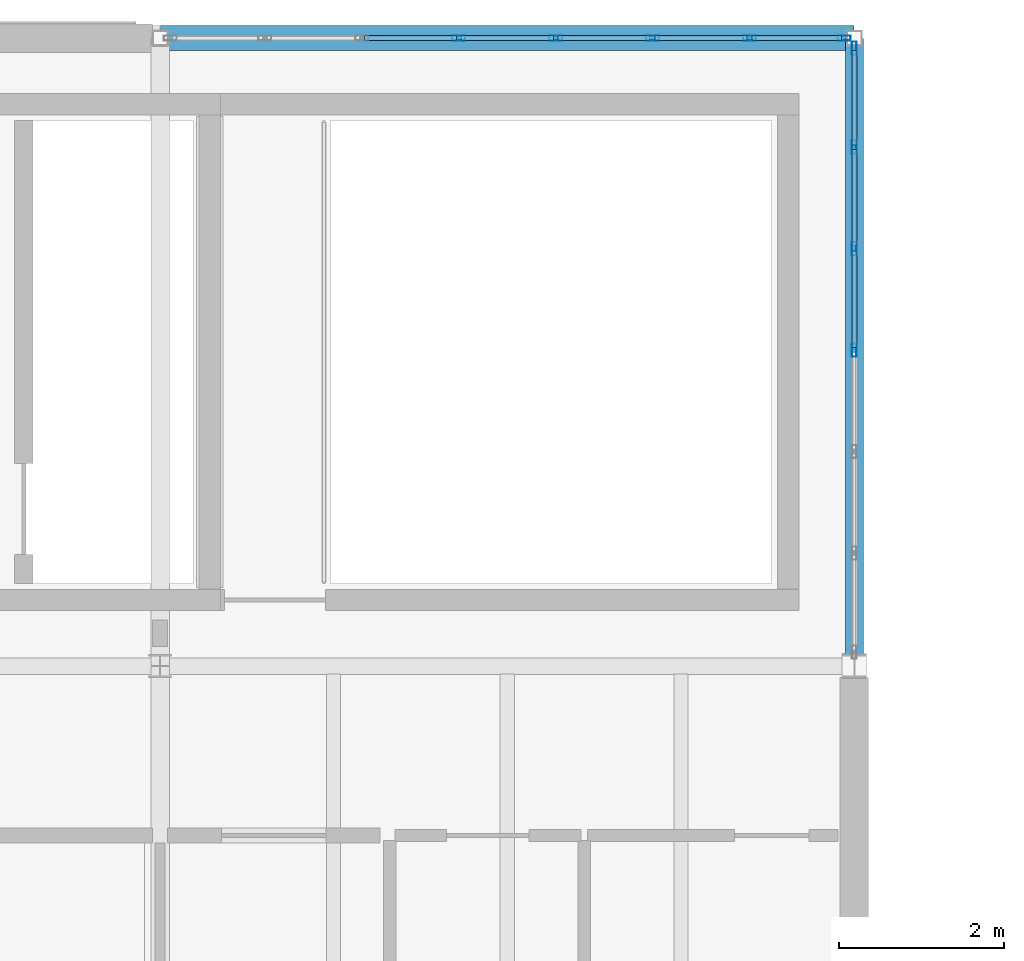
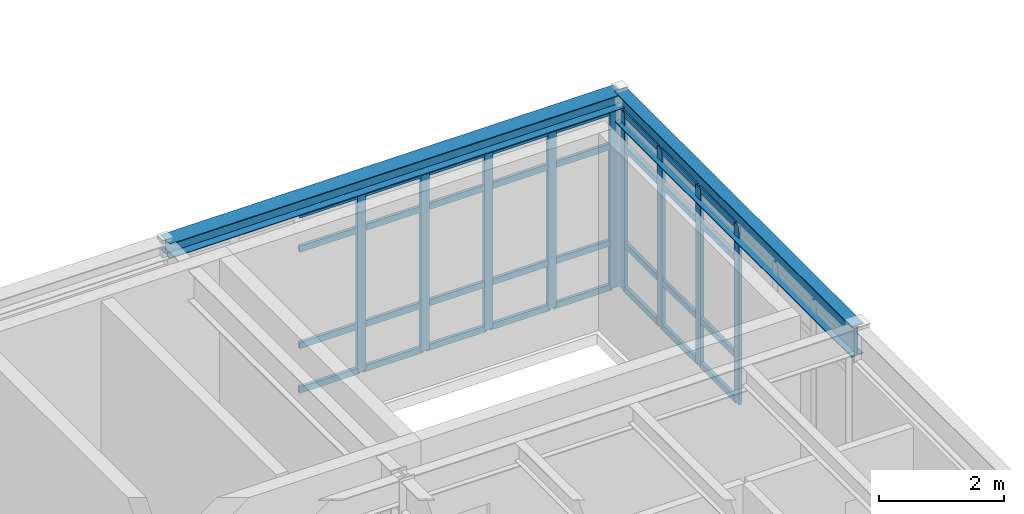
# One storey, part 12 of 26: 41 members, 2 beams, 2 elements without a shape of their own.
"""IFC4 building model written with IfcOpenShell, lengths in metres."""

from ifc_helpers import new_model, si_unit, direction, frame, origin, origin_2d, place, context, subcontext, project, spatial, hollow_rectangle, i_section, extrude, material, layer, layer_set, material_profile, profile_set, type_object, element, aggregate, save


model = new_model("IFC4")

# Units and contexts
model_context = context("Model", 3, precision=1e-05, world=origin(), true_north=direction((0.0, 1.0)))
body_context = subcontext(model_context, "Body", "Model", "MODEL_VIEW")
ifc_project = project(units=[si_unit("LENGTHUNIT", "METRE"), si_unit("AREAUNIT", "SQUARE_METRE"), si_unit("VOLUMEUNIT", "CUBIC_METRE"), si_unit("PLANEANGLEUNIT", "RADIAN"), si_unit("MASSUNIT", "GRAM", prefix="KILO")], contexts=[model_context])

# Site, building, storey
site_placement = place(None, origin())
site = spatial("IfcSite", under=ifc_project, at=site_placement, CompositionType="ELEMENT")
building_placement = place(site_placement, origin())
building = spatial("IfcBuilding", under=site, at=building_placement, Name="Montecoro Central Library", CompositionType="ELEMENT")
storey_placement = place(building_placement, frame((0.0, 0.0, 21.419921875)))
storey = spatial("IfcBuildingStorey", under=building, at=storey_placement, Name="L05", CompositionType="ELEMENT", Elevation=21.419921875)

# Beams
ifc_material_1 = material(Name="Steel S355J2", Category="steel")
ifc_material_profile_1 = material_profile(ifc_material_1, i_section(OverallWidth=0.219970703125, OverallDepth=0.60009765625, WebThickness=0.011962890625, FlangeThickness=0.01904296875, at=origin_2d()), Name="IPE 600")
ifc_profile_set_1 = profile_set([ifc_material_profile_1], Name="Steel S355J2")
beam_type_1 = type_object("IfcBeamType", Name="BM-G-IPE600", PredefinedType="USERDEFINED", material=ifc_profile_set_1)
beam_1_placement = place(storey_placement, frame((108.39990234375, 111.405029296875, 3.525146484375), z_axis=(0.0, 1.0, 0.0), x_axis=(-1.0, 0.0, 0.0)))
element("IfcBeam", 1, at=beam_1_placement, inside=storey, type_object=beam_type_1, Name="V2-L05-BY-14-QR", ObjectType="GIRDER", PredefinedType="USERDEFINED", context=body_context, shape_type="SweptSolid", body=[
    extrude(i_section(OverallWidth=0.219970703125, OverallDepth=0.60009765625, WebThickness=0.011962890625, FlangeThickness=0.01904296875, at=origin_2d()), origin(), (0.0, 0.0, 1.0), 7.590087890625),
])
ifc_material_2 = material(Name="Steel S355", Category="steel")
ifc_material_profile_2 = material_profile(ifc_material_2, i_section(OverallWidth=0.300048828125, OverallDepth=0.2900390625, WebThickness=0.008544921875, FlangeThickness=0.013916015625, at=origin_2d()), Name="HEA 300")
ifc_profile_set_2 = profile_set([ifc_material_profile_2], Name="Steel S355")
beam_type_2 = type_object("IfcBeamType", Name="BM-SP-HEA300", PredefinedType="SPANDREL", material=ifc_profile_set_2)
beam_2_placement = place(storey_placement, frame((100.0048828125, 119.0, 3.68017578125), z_axis=(1.0, 0.0, 0.0), x_axis=(0.0, 1.0, 0.0)))
element("IfcBeam", 2, at=beam_2_placement, inside=storey, type_object=beam_type_2, Name="V2-L05-BX-1314-R", PredefinedType="SPANDREL", context=body_context, shape_type="SweptSolid", body=[
    extrude(i_section(OverallWidth=0.300048828125, OverallDepth=0.2900390625, WebThickness=0.008544921875, FlangeThickness=0.013916015625, at=origin_2d()), origin(), (0.0, 0.0, 1.0), 8.39013671875),
])

# Curtain wall, members
ifc_material_3 = material(Name="Bronze-anodised aluminium and low-E glazing", Category="aluminium")
ifc_layer_1 = layer(ifc_material_3, 0.159912109375)
ifc_layer_set_1 = layer_set([ifc_layer_1], Name="Bronze-anodised aluminium and low-E glazing")
curtain_wall_type_1 = type_object("IfcCurtainWallType", Name="CWT-024", PredefinedType="NOTDEFINED", material=ifc_layer_set_1)
curtain_wall_1_placement = place(storey_placement, origin())
curtain_wall_1 = element("IfcCurtainWall", 3, at=curtain_wall_1_placement, inside=storey, type_object=curtain_wall_type_1, Name="V2-L05-CW-E1", PredefinedType="NOTDEFINED")
ifc_material_4 = material(Name="Bronze-anodised aluminium", Category="aluminium")
ifc_material_profile_3 = material_profile(ifc_material_4, hollow_rectangle(XDim=0.06005859375, YDim=0.159912109375, WallThickness=0.00390625, at=origin_2d()), Name="CWM 160x60x4.0")
ifc_profile_set_3 = profile_set([ifc_material_profile_3], Name="Bronze-anodised aluminium")
member_type_1 = type_object("IfcMemberType", Name="CWM-BRZ-60", PredefinedType="MULLION", material=ifc_profile_set_3)
member_1_placement = place(storey_placement, frame((108.39990234375, 115.222412109375, 0.0), z_axis=(0.0, 0.0, 1.0), x_axis=(-1.0, 0.0, 0.0)))
member_1 = element("IfcMember", 4, at=member_1_placement, type_object=member_type_1, Name="CW-024 mullion 4", PredefinedType="MULLION", context=body_context, shape_type="SweptSolid", body=[
    extrude(hollow_rectangle(XDim=0.06005859375, YDim=0.159912109375, WallThickness=0.00390625, at=origin_2d()), origin(), (0.0, 0.0, 1.0), 3.47998046875),
])
member_2_placement = place(storey_placement, frame((108.39990234375, 116.45068359375, 0.0), z_axis=(0.0, 0.0, 1.0), x_axis=(-1.0, 0.0, 0.0)))
member_2 = element("IfcMember", 5, at=member_2_placement, type_object=member_type_1, Name="CW-024 mullion 5", PredefinedType="MULLION", context=body_context, shape_type="SweptSolid", body=[
    extrude(hollow_rectangle(XDim=0.06005859375, YDim=0.159912109375, WallThickness=0.00390625, at=origin_2d()), origin(), (0.0, 0.0, 1.0), 3.47998046875),
])
member_3_placement = place(storey_placement, frame((108.39990234375, 117.678955078125, 0.0), z_axis=(0.0, 0.0, 1.0), x_axis=(-1.0, 0.0, 0.0)))
member_3 = element("IfcMember", 6, at=member_3_placement, type_object=member_type_1, Name="CW-024 mullion 6", PredefinedType="MULLION", context=body_context, shape_type="SweptSolid", body=[
    extrude(hollow_rectangle(XDim=0.06005859375, YDim=0.159912109375, WallThickness=0.00390625, at=origin_2d()), origin(), (0.0, 0.0, 1.0), 3.47998046875),
])
member_4_placement = place(storey_placement, frame((108.39990234375, 118.876953125, 0.0), z_axis=(0.0, 0.0, 1.0), x_axis=(-1.0, 0.0, 0.0)))
member_4 = element("IfcMember", 7, at=member_4_placement, type_object=member_type_1, Name="CW-024 mullion 7", PredefinedType="MULLION", context=body_context, shape_type="SweptSolid", body=[
    extrude(hollow_rectangle(XDim=0.06005859375, YDim=0.159912109375, WallThickness=0.00390625, at=origin_2d()), origin(), (0.0, 0.0, 1.0), 3.47998046875),
])

ifc_layer_2 = layer(ifc_material_3, 0.159912109375)
ifc_layer_set_2 = layer_set([ifc_layer_2], Name="Bronze-anodised aluminium and low-E glazing")
curtain_wall_type_2 = type_object("IfcCurtainWallType", Name="CWT-025", PredefinedType="NOTDEFINED", material=ifc_layer_set_2)
curtain_wall_2_placement = place(storey_placement, origin())
curtain_wall_2 = element("IfcCurtainWall", 8, at=curtain_wall_2_placement, inside=storey, type_object=curtain_wall_type_2, Name="V2-L05-CW-N3", PredefinedType="NOTDEFINED")
member_5_placement = place(storey_placement, frame((108.277099609375, 119.0, 0.0), z_axis=(0.0, 0.0, 1.0), x_axis=(0.0, -1.0, 0.0)))
member_5 = element("IfcMember", 9, at=member_5_placement, type_object=member_type_1, Name="CW-025 mullion 1", PredefinedType="MULLION", context=body_context, shape_type="SweptSolid", body=[
    extrude(hollow_rectangle(XDim=0.06005859375, YDim=0.159912109375, WallThickness=0.00390625, at=origin_2d()), origin(), (0.0, 0.0, 1.0), 3.47998046875),
])
member_6_placement = place(storey_placement, frame((107.133544921875, 119.0, 0.0), z_axis=(0.0, 0.0, 1.0), x_axis=(0.0, -1.0, 0.0)))
member_6 = element("IfcMember", 10, at=member_6_placement, type_object=member_type_1, Name="CW-025 mullion 2", PredefinedType="MULLION", context=body_context, shape_type="SweptSolid", body=[
    extrude(hollow_rectangle(XDim=0.06005859375, YDim=0.159912109375, WallThickness=0.00390625, at=origin_2d()), origin(), (0.0, 0.0, 1.0), 3.47998046875),
])
member_7_placement = place(storey_placement, frame((105.960205078125, 119.0, 0.0), z_axis=(0.0, 0.0, 1.0), x_axis=(0.0, -1.0, 0.0)))
member_7 = element("IfcMember", 11, at=member_7_placement, type_object=member_type_1, Name="CW-025 mullion 3", PredefinedType="MULLION", context=body_context, shape_type="SweptSolid", body=[
    extrude(hollow_rectangle(XDim=0.06005859375, YDim=0.159912109375, WallThickness=0.00390625, at=origin_2d()), origin(), (0.0, 0.0, 1.0), 3.47998046875),
])
member_8_placement = place(storey_placement, frame((104.78662109375, 119.0, 0.0), z_axis=(0.0, 0.0, 1.0), x_axis=(0.0, -1.0, 0.0)))
member_8 = element("IfcMember", 12, at=member_8_placement, type_object=member_type_1, Name="CW-025 mullion 4", PredefinedType="MULLION", context=body_context, shape_type="SweptSolid", body=[
    extrude(hollow_rectangle(XDim=0.06005859375, YDim=0.159912109375, WallThickness=0.00390625, at=origin_2d()), origin(), (0.0, 0.0, 1.0), 3.47998046875),
])
member_9_placement = place(storey_placement, frame((103.61328125, 119.0, 0.0), z_axis=(0.0, 0.0, 1.0), x_axis=(0.0, -1.0, 0.0)))
member_9 = element("IfcMember", 13, at=member_9_placement, type_object=member_type_1, Name="CW-025 mullion 5", PredefinedType="MULLION", context=body_context, shape_type="SweptSolid", body=[
    extrude(hollow_rectangle(XDim=0.06005859375, YDim=0.159912109375, WallThickness=0.00390625, at=origin_2d()), origin(), (0.0, 0.0, 1.0), 3.47998046875),
])

# Member
ifc_material_profile_4 = material_profile(ifc_material_4, hollow_rectangle(XDim=0.06005859375, YDim=0.1201171875, WallThickness=0.00390625, at=origin_2d()), Name="CWT 120x60x4.0")
ifc_profile_set_4 = profile_set([ifc_material_profile_4], Name="Bronze-anodised aluminium")
member_type_2 = type_object("IfcMemberType", Name="CWT-BRZ-60", PredefinedType="USERDEFINED", material=ifc_profile_set_4)
member_10_placement = place(storey_placement, frame((108.39990234375, 115.25244140625, 0.030029296875), z_axis=(0.0, 1.0, 0.0), x_axis=(-1.0, 0.0, 0.0)))
member_10 = element("IfcMember", 14, at=member_10_placement, type_object=member_type_2, Name="CW-024 transom 4.1", ObjectType="TRANSOM", PredefinedType="USERDEFINED", context=body_context, shape_type="SweptSolid", body=[
    extrude(hollow_rectangle(XDim=0.06005859375, YDim=0.1201171875, WallThickness=0.00390625, at=origin_2d()), origin(), (0.0, 0.0, 1.0), 1.168212890625),
])

member_11_placement = place(storey_placement, frame((108.39990234375, 115.25244140625, 0.900146484375), z_axis=(0.0, 1.0, 0.0), x_axis=(-1.0, 0.0, 0.0)))
member_11 = element("IfcMember", 15, at=member_11_placement, type_object=member_type_2, Name="CW-024 transom 4.2", ObjectType="TRANSOM", PredefinedType="USERDEFINED", context=body_context, shape_type="SweptSolid", body=[
    extrude(hollow_rectangle(XDim=0.06005859375, YDim=0.1201171875, WallThickness=0.00390625, at=origin_2d()), origin(), (0.0, 0.0, 1.0), 1.168212890625),
])

member_12_placement = place(storey_placement, frame((108.39990234375, 115.25244140625, 2.780029296875), z_axis=(0.0, 1.0, 0.0), x_axis=(-1.0, 0.0, 0.0)))
member_12 = element("IfcMember", 16, at=member_12_placement, type_object=member_type_2, Name="CW-024 transom 4.3", ObjectType="TRANSOM", PredefinedType="USERDEFINED", context=body_context, shape_type="SweptSolid", body=[
    extrude(hollow_rectangle(XDim=0.06005859375, YDim=0.1201171875, WallThickness=0.00390625, at=origin_2d()), origin(), (0.0, 0.0, 1.0), 1.168212890625),
])

member_13_placement = place(storey_placement, frame((108.39990234375, 115.25244140625, 3.4501953125), z_axis=(0.0, 1.0, 0.0), x_axis=(-1.0, 0.0, 0.0)))
member_13 = element("IfcMember", 17, at=member_13_placement, type_object=member_type_2, Name="CW-024 transom 4.4", ObjectType="TRANSOM", PredefinedType="USERDEFINED", context=body_context, shape_type="SweptSolid", body=[
    extrude(hollow_rectangle(XDim=0.06005859375, YDim=0.1201171875, WallThickness=0.00390625, at=origin_2d()), origin(), (0.0, 0.0, 1.0), 1.168212890625),
])

member_14_placement = place(storey_placement, frame((108.39990234375, 116.480712890625, 0.030029296875), z_axis=(0.0, 1.0, 0.0), x_axis=(-1.0, 0.0, 0.0)))
member_14 = element("IfcMember", 18, at=member_14_placement, type_object=member_type_2, Name="CW-024 transom 5.1", ObjectType="TRANSOM", PredefinedType="USERDEFINED", context=body_context, shape_type="SweptSolid", body=[
    extrude(hollow_rectangle(XDim=0.06005859375, YDim=0.1201171875, WallThickness=0.00390625, at=origin_2d()), origin(), (0.0, 0.0, 1.0), 1.168212890625),
])

member_15_placement = place(storey_placement, frame((108.39990234375, 116.480712890625, 0.900146484375), z_axis=(0.0, 1.0, 0.0), x_axis=(-1.0, 0.0, 0.0)))
member_15 = element("IfcMember", 19, at=member_15_placement, type_object=member_type_2, Name="CW-024 transom 5.2", ObjectType="TRANSOM", PredefinedType="USERDEFINED", context=body_context, shape_type="SweptSolid", body=[
    extrude(hollow_rectangle(XDim=0.06005859375, YDim=0.1201171875, WallThickness=0.00390625, at=origin_2d()), origin(), (0.0, 0.0, 1.0), 1.168212890625),
])

member_16_placement = place(storey_placement, frame((108.39990234375, 116.480712890625, 2.780029296875), z_axis=(0.0, 1.0, 0.0), x_axis=(-1.0, 0.0, 0.0)))
member_16 = element("IfcMember", 20, at=member_16_placement, type_object=member_type_2, Name="CW-024 transom 5.3", ObjectType="TRANSOM", PredefinedType="USERDEFINED", context=body_context, shape_type="SweptSolid", body=[
    extrude(hollow_rectangle(XDim=0.06005859375, YDim=0.1201171875, WallThickness=0.00390625, at=origin_2d()), origin(), (0.0, 0.0, 1.0), 1.168212890625),
])

member_17_placement = place(storey_placement, frame((108.39990234375, 116.480712890625, 3.4501953125), z_axis=(0.0, 1.0, 0.0), x_axis=(-1.0, 0.0, 0.0)))
member_17 = element("IfcMember", 21, at=member_17_placement, type_object=member_type_2, Name="CW-024 transom 5.4", ObjectType="TRANSOM", PredefinedType="USERDEFINED", context=body_context, shape_type="SweptSolid", body=[
    extrude(hollow_rectangle(XDim=0.06005859375, YDim=0.1201171875, WallThickness=0.00390625, at=origin_2d()), origin(), (0.0, 0.0, 1.0), 1.168212890625),
])

member_18_placement = place(storey_placement, frame((108.39990234375, 117.708740234375, 0.030029296875), z_axis=(0.0, 1.0, 0.0), x_axis=(-1.0, 0.0, 0.0)))
member_18 = element("IfcMember", 22, at=member_18_placement, type_object=member_type_2, Name="CW-024 transom 6.1", ObjectType="TRANSOM", PredefinedType="USERDEFINED", context=body_context, shape_type="SweptSolid", body=[
    extrude(hollow_rectangle(XDim=0.06005859375, YDim=0.1201171875, WallThickness=0.00390625, at=origin_2d()), origin(), (0.0, 0.0, 1.0), 1.13818359375),
])

member_19_placement = place(storey_placement, frame((108.39990234375, 117.708740234375, 0.900146484375), z_axis=(0.0, 1.0, 0.0), x_axis=(-1.0, 0.0, 0.0)))
member_19 = element("IfcMember", 23, at=member_19_placement, type_object=member_type_2, Name="CW-024 transom 6.2", ObjectType="TRANSOM", PredefinedType="USERDEFINED", context=body_context, shape_type="SweptSolid", body=[
    extrude(hollow_rectangle(XDim=0.06005859375, YDim=0.1201171875, WallThickness=0.00390625, at=origin_2d()), origin(), (0.0, 0.0, 1.0), 1.13818359375),
])

member_20_placement = place(storey_placement, frame((108.39990234375, 117.708740234375, 2.780029296875), z_axis=(0.0, 1.0, 0.0), x_axis=(-1.0, 0.0, 0.0)))
member_20 = element("IfcMember", 24, at=member_20_placement, type_object=member_type_2, Name="CW-024 transom 6.3", ObjectType="TRANSOM", PredefinedType="USERDEFINED", context=body_context, shape_type="SweptSolid", body=[
    extrude(hollow_rectangle(XDim=0.06005859375, YDim=0.1201171875, WallThickness=0.00390625, at=origin_2d()), origin(), (0.0, 0.0, 1.0), 1.13818359375),
])

member_21_placement = place(storey_placement, frame((108.39990234375, 117.708740234375, 3.4501953125), z_axis=(0.0, 1.0, 0.0), x_axis=(-1.0, 0.0, 0.0)))
member_21 = element("IfcMember", 25, at=member_21_placement, type_object=member_type_2, Name="CW-024 transom 6.4", ObjectType="TRANSOM", PredefinedType="USERDEFINED", context=body_context, shape_type="SweptSolid", body=[
    extrude(hollow_rectangle(XDim=0.06005859375, YDim=0.1201171875, WallThickness=0.00390625, at=origin_2d()), origin(), (0.0, 0.0, 1.0), 1.13818359375),
])

aggregate(curtain_wall_1, [member_1, member_2, member_3, member_4, member_10, member_11, member_12, member_13, member_14, member_15, member_16, member_17, member_18, member_19, member_20, member_21])

member_22_placement = place(storey_placement, frame((108.2470703125, 119.0, 0.030029296875), z_axis=(-1.0, 0.0, 0.0), x_axis=(0.0, -1.0, 0.0)))
member_22 = element("IfcMember", 26, at=member_22_placement, type_object=member_type_2, Name="CW-025 transom 1.1", ObjectType="TRANSOM", PredefinedType="USERDEFINED", context=body_context, shape_type="SweptSolid", body=[
    extrude(hollow_rectangle(XDim=0.06005859375, YDim=0.1201171875, WallThickness=0.00390625, at=origin_2d()), origin(), (0.0, 0.0, 1.0), 1.08349609375),
])

member_23_placement = place(storey_placement, frame((108.2470703125, 119.0, 0.900146484375), z_axis=(-1.0, 0.0, 0.0), x_axis=(0.0, -1.0, 0.0)))
member_23 = element("IfcMember", 27, at=member_23_placement, type_object=member_type_2, Name="CW-025 transom 1.2", ObjectType="TRANSOM", PredefinedType="USERDEFINED", context=body_context, shape_type="SweptSolid", body=[
    extrude(hollow_rectangle(XDim=0.06005859375, YDim=0.1201171875, WallThickness=0.00390625, at=origin_2d()), origin(), (0.0, 0.0, 1.0), 1.08349609375),
])

member_24_placement = place(storey_placement, frame((108.2470703125, 119.0, 2.780029296875), z_axis=(-1.0, 0.0, 0.0), x_axis=(0.0, -1.0, 0.0)))
member_24 = element("IfcMember", 28, at=member_24_placement, type_object=member_type_2, Name="CW-025 transom 1.3", ObjectType="TRANSOM", PredefinedType="USERDEFINED", context=body_context, shape_type="SweptSolid", body=[
    extrude(hollow_rectangle(XDim=0.06005859375, YDim=0.1201171875, WallThickness=0.00390625, at=origin_2d()), origin(), (0.0, 0.0, 1.0), 1.08349609375),
])

member_25_placement = place(storey_placement, frame((108.2470703125, 119.0, 3.4501953125), z_axis=(-1.0, 0.0, 0.0), x_axis=(0.0, -1.0, 0.0)))
member_25 = element("IfcMember", 29, at=member_25_placement, type_object=member_type_2, Name="CW-025 transom 1.4", ObjectType="TRANSOM", PredefinedType="USERDEFINED", context=body_context, shape_type="SweptSolid", body=[
    extrude(hollow_rectangle(XDim=0.06005859375, YDim=0.1201171875, WallThickness=0.00390625, at=origin_2d()), origin(), (0.0, 0.0, 1.0), 1.08349609375),
])

member_26_placement = place(storey_placement, frame((107.103515625, 119.0, 0.030029296875), z_axis=(-1.0, 0.0, 0.0), x_axis=(0.0, -1.0, 0.0)))
member_26 = element("IfcMember", 30, at=member_26_placement, type_object=member_type_2, Name="CW-025 transom 2.1", ObjectType="TRANSOM", PredefinedType="USERDEFINED", context=body_context, shape_type="SweptSolid", body=[
    extrude(hollow_rectangle(XDim=0.06005859375, YDim=0.1201171875, WallThickness=0.00390625, at=origin_2d()), origin(), (0.0, 0.0, 1.0), 1.11328125),
])

member_27_placement = place(storey_placement, frame((107.103515625, 119.0, 0.900146484375), z_axis=(-1.0, 0.0, 0.0), x_axis=(0.0, -1.0, 0.0)))
member_27 = element("IfcMember", 31, at=member_27_placement, type_object=member_type_2, Name="CW-025 transom 2.2", ObjectType="TRANSOM", PredefinedType="USERDEFINED", context=body_context, shape_type="SweptSolid", body=[
    extrude(hollow_rectangle(XDim=0.06005859375, YDim=0.1201171875, WallThickness=0.00390625, at=origin_2d()), origin(), (0.0, 0.0, 1.0), 1.11328125),
])

member_28_placement = place(storey_placement, frame((107.103515625, 119.0, 2.780029296875), z_axis=(-1.0, 0.0, 0.0), x_axis=(0.0, -1.0, 0.0)))
member_28 = element("IfcMember", 32, at=member_28_placement, type_object=member_type_2, Name="CW-025 transom 2.3", ObjectType="TRANSOM", PredefinedType="USERDEFINED", context=body_context, shape_type="SweptSolid", body=[
    extrude(hollow_rectangle(XDim=0.06005859375, YDim=0.1201171875, WallThickness=0.00390625, at=origin_2d()), origin(), (0.0, 0.0, 1.0), 1.11328125),
])

member_29_placement = place(storey_placement, frame((107.103515625, 119.0, 3.4501953125), z_axis=(-1.0, 0.0, 0.0), x_axis=(0.0, -1.0, 0.0)))
member_29 = element("IfcMember", 33, at=member_29_placement, type_object=member_type_2, Name="CW-025 transom 2.4", ObjectType="TRANSOM", PredefinedType="USERDEFINED", context=body_context, shape_type="SweptSolid", body=[
    extrude(hollow_rectangle(XDim=0.06005859375, YDim=0.1201171875, WallThickness=0.00390625, at=origin_2d()), origin(), (0.0, 0.0, 1.0), 1.11328125),
])

member_30_placement = place(storey_placement, frame((105.93017578125, 119.0, 0.030029296875), z_axis=(-1.0, 0.0, 0.0), x_axis=(0.0, -1.0, 0.0)))
member_30 = element("IfcMember", 34, at=member_30_placement, type_object=member_type_2, Name="CW-025 transom 3.1", ObjectType="TRANSOM", PredefinedType="USERDEFINED", context=body_context, shape_type="SweptSolid", body=[
    extrude(hollow_rectangle(XDim=0.06005859375, YDim=0.1201171875, WallThickness=0.00390625, at=origin_2d()), origin(), (0.0, 0.0, 1.0), 1.113525390625),
])

member_31_placement = place(storey_placement, frame((105.93017578125, 119.0, 0.900146484375), z_axis=(-1.0, 0.0, 0.0), x_axis=(0.0, -1.0, 0.0)))
member_31 = element("IfcMember", 35, at=member_31_placement, type_object=member_type_2, Name="CW-025 transom 3.2", ObjectType="TRANSOM", PredefinedType="USERDEFINED", context=body_context, shape_type="SweptSolid", body=[
    extrude(hollow_rectangle(XDim=0.06005859375, YDim=0.1201171875, WallThickness=0.00390625, at=origin_2d()), origin(), (0.0, 0.0, 1.0), 1.113525390625),
])

member_32_placement = place(storey_placement, frame((105.93017578125, 119.0, 2.780029296875), z_axis=(-1.0, 0.0, 0.0), x_axis=(0.0, -1.0, 0.0)))
member_32 = element("IfcMember", 36, at=member_32_placement, type_object=member_type_2, Name="CW-025 transom 3.3", ObjectType="TRANSOM", PredefinedType="USERDEFINED", context=body_context, shape_type="SweptSolid", body=[
    extrude(hollow_rectangle(XDim=0.06005859375, YDim=0.1201171875, WallThickness=0.00390625, at=origin_2d()), origin(), (0.0, 0.0, 1.0), 1.113525390625),
])

member_33_placement = place(storey_placement, frame((105.93017578125, 119.0, 3.4501953125), z_axis=(-1.0, 0.0, 0.0), x_axis=(0.0, -1.0, 0.0)))
member_33 = element("IfcMember", 37, at=member_33_placement, type_object=member_type_2, Name="CW-025 transom 3.4", ObjectType="TRANSOM", PredefinedType="USERDEFINED", context=body_context, shape_type="SweptSolid", body=[
    extrude(hollow_rectangle(XDim=0.06005859375, YDim=0.1201171875, WallThickness=0.00390625, at=origin_2d()), origin(), (0.0, 0.0, 1.0), 1.113525390625),
])

member_34_placement = place(storey_placement, frame((104.7568359375, 119.0, 0.030029296875), z_axis=(-1.0, 0.0, 0.0), x_axis=(0.0, -1.0, 0.0)))
member_34 = element("IfcMember", 38, at=member_34_placement, type_object=member_type_2, Name="CW-025 transom 4.1", ObjectType="TRANSOM", PredefinedType="USERDEFINED", context=body_context, shape_type="SweptSolid", body=[
    extrude(hollow_rectangle(XDim=0.06005859375, YDim=0.1201171875, WallThickness=0.00390625, at=origin_2d()), origin(), (0.0, 0.0, 1.0), 1.113525390625),
])

member_35_placement = place(storey_placement, frame((104.7568359375, 119.0, 0.900146484375), z_axis=(-1.0, 0.0, 0.0), x_axis=(0.0, -1.0, 0.0)))
member_35 = element("IfcMember", 39, at=member_35_placement, type_object=member_type_2, Name="CW-025 transom 4.2", ObjectType="TRANSOM", PredefinedType="USERDEFINED", context=body_context, shape_type="SweptSolid", body=[
    extrude(hollow_rectangle(XDim=0.06005859375, YDim=0.1201171875, WallThickness=0.00390625, at=origin_2d()), origin(), (0.0, 0.0, 1.0), 1.113525390625),
])

member_36_placement = place(storey_placement, frame((104.7568359375, 119.0, 2.780029296875), z_axis=(-1.0, 0.0, 0.0), x_axis=(0.0, -1.0, 0.0)))
member_36 = element("IfcMember", 40, at=member_36_placement, type_object=member_type_2, Name="CW-025 transom 4.3", ObjectType="TRANSOM", PredefinedType="USERDEFINED", context=body_context, shape_type="SweptSolid", body=[
    extrude(hollow_rectangle(XDim=0.06005859375, YDim=0.1201171875, WallThickness=0.00390625, at=origin_2d()), origin(), (0.0, 0.0, 1.0), 1.113525390625),
])

member_37_placement = place(storey_placement, frame((104.7568359375, 119.0, 3.4501953125), z_axis=(-1.0, 0.0, 0.0), x_axis=(0.0, -1.0, 0.0)))
member_37 = element("IfcMember", 41, at=member_37_placement, type_object=member_type_2, Name="CW-025 transom 4.4", ObjectType="TRANSOM", PredefinedType="USERDEFINED", context=body_context, shape_type="SweptSolid", body=[
    extrude(hollow_rectangle(XDim=0.06005859375, YDim=0.1201171875, WallThickness=0.00390625, at=origin_2d()), origin(), (0.0, 0.0, 1.0), 1.113525390625),
])

member_38_placement = place(storey_placement, frame((103.583251953125, 119.0, 0.030029296875), z_axis=(-1.0, 0.0, 0.0), x_axis=(0.0, -1.0, 0.0)))
member_38 = element("IfcMember", 42, at=member_38_placement, type_object=member_type_2, Name="CW-025 transom 5.1", ObjectType="TRANSOM", PredefinedType="USERDEFINED", context=body_context, shape_type="SweptSolid", body=[
    extrude(hollow_rectangle(XDim=0.06005859375, YDim=0.1201171875, WallThickness=0.00390625, at=origin_2d()), origin(), (0.0, 0.0, 1.0), 1.11328125),
])

member_39_placement = place(storey_placement, frame((103.583251953125, 119.0, 0.900146484375), z_axis=(-1.0, 0.0, 0.0), x_axis=(0.0, -1.0, 0.0)))
member_39 = element("IfcMember", 43, at=member_39_placement, type_object=member_type_2, Name="CW-025 transom 5.2", ObjectType="TRANSOM", PredefinedType="USERDEFINED", context=body_context, shape_type="SweptSolid", body=[
    extrude(hollow_rectangle(XDim=0.06005859375, YDim=0.1201171875, WallThickness=0.00390625, at=origin_2d()), origin(), (0.0, 0.0, 1.0), 1.11328125),
])

member_40_placement = place(storey_placement, frame((103.583251953125, 119.0, 2.780029296875), z_axis=(-1.0, 0.0, 0.0), x_axis=(0.0, -1.0, 0.0)))
member_40 = element("IfcMember", 44, at=member_40_placement, type_object=member_type_2, Name="CW-025 transom 5.3", ObjectType="TRANSOM", PredefinedType="USERDEFINED", context=body_context, shape_type="SweptSolid", body=[
    extrude(hollow_rectangle(XDim=0.06005859375, YDim=0.1201171875, WallThickness=0.00390625, at=origin_2d()), origin(), (0.0, 0.0, 1.0), 1.11328125),
])

member_41_placement = place(storey_placement, frame((103.583251953125, 119.0, 3.4501953125), z_axis=(-1.0, 0.0, 0.0), x_axis=(0.0, -1.0, 0.0)))
member_41 = element("IfcMember", 45, at=member_41_placement, type_object=member_type_2, Name="CW-025 transom 5.4", ObjectType="TRANSOM", PredefinedType="USERDEFINED", context=body_context, shape_type="SweptSolid", body=[
    extrude(hollow_rectangle(XDim=0.06005859375, YDim=0.1201171875, WallThickness=0.00390625, at=origin_2d()), origin(), (0.0, 0.0, 1.0), 1.11328125),
])

aggregate(curtain_wall_2, [member_5, member_6, member_7, member_8, member_9, member_22, member_23, member_24, member_25, member_26, member_27, member_28, member_29, member_30, member_31, member_32, member_33, member_34, member_35, member_36, member_37, member_38, member_39, member_40, member_41])

save(model, "model.ifc")
